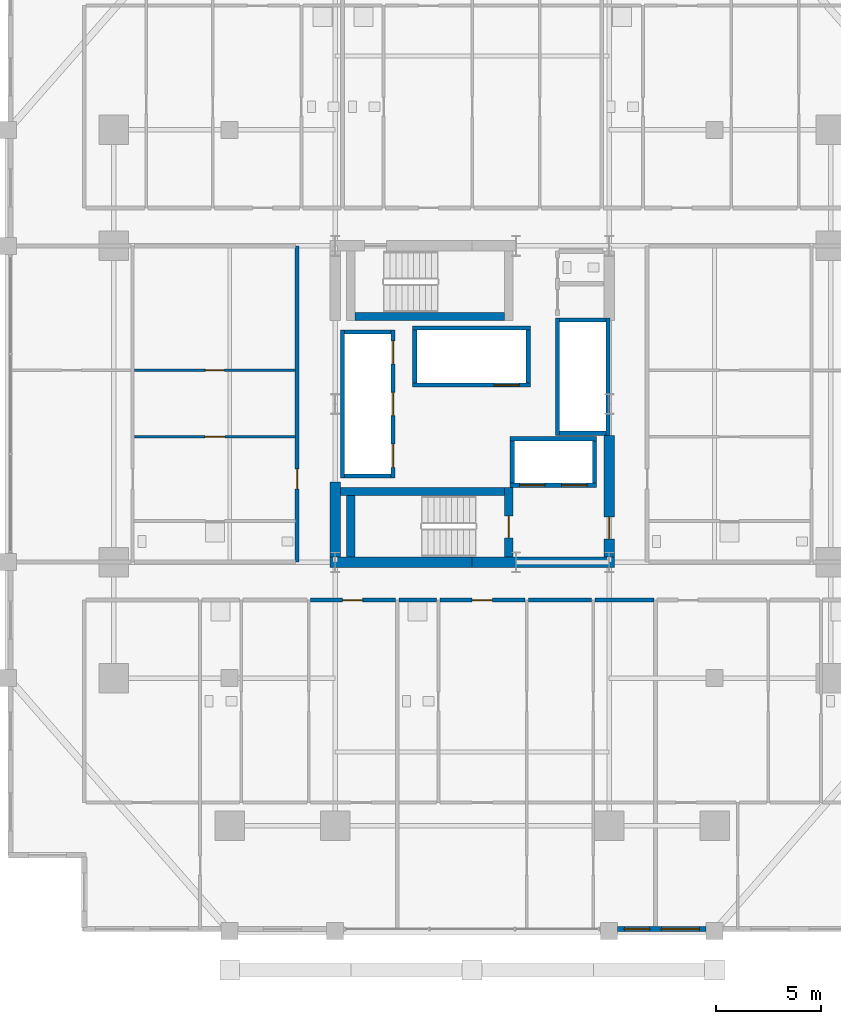
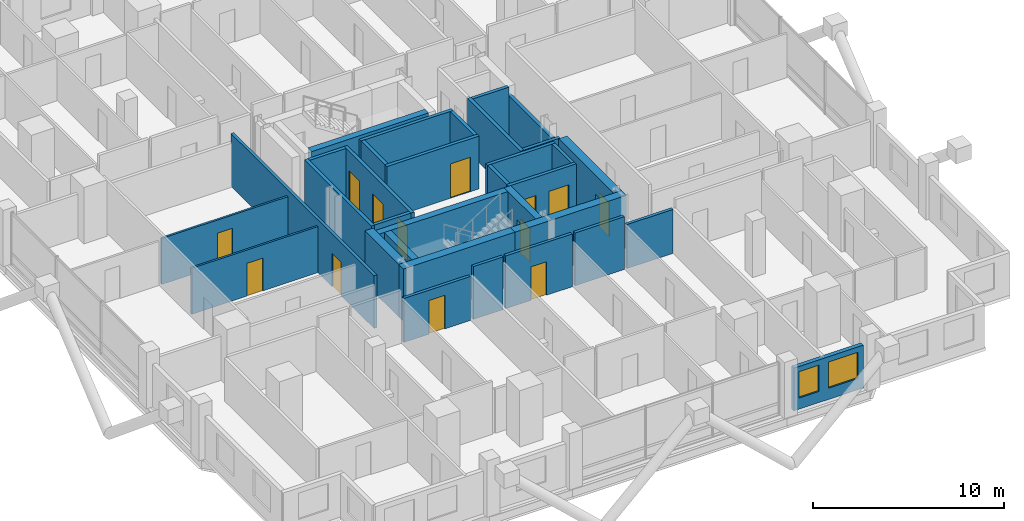
# One storey, part 18 of 24: 33 walls, 13 doors, 2 windows, 15 openings.
"""IFC4 building model written with IfcOpenShell, lengths in metres."""

from ifc_helpers import new_model, si_unit, direction, frame, frame_2d, origin, place, context, subcontext, project, spatial, rectangle, extrude, material, layer, layer_set, type_object, element, fill, save


model = new_model("IFC4")

# Units and contexts
model_context = context("Model", 3, precision=1e-05, world=origin(), true_north=direction((0.0, 1.0)))
body_context = subcontext(model_context, "Body", "Model", "MODEL_VIEW")
ifc_project = project(units=[si_unit("LENGTHUNIT", "METRE"), si_unit("AREAUNIT", "SQUARE_METRE"), si_unit("VOLUMEUNIT", "CUBIC_METRE"), si_unit("PLANEANGLEUNIT", "RADIAN"), si_unit("MASSUNIT", "GRAM", prefix="KILO")], contexts=[model_context])

# Site, building, storey
site_placement = place(None, origin())
site = spatial("IfcSite", under=ifc_project, at=site_placement, CompositionType="ELEMENT")
building_placement = place(site_placement, origin())
building = spatial("IfcBuilding", under=site, at=building_placement, Name="Barlavira Tower and Art Museum", CompositionType="ELEMENT")
storey_placement = place(building_placement, frame((0.0, 0.0, 46.800048828125)))
storey = spatial("IfcBuildingStorey", under=building, at=storey_placement, Name="L10", CompositionType="ELEMENT", Elevation=46.800048828125)

# Wall, opening, door
ifc_material_1 = material(Name="Gypsum acoustic stud partition", Category="gypsum")
ifc_layer_1 = layer(ifc_material_1, 0.1201171875, Name="Gypsum acoustic stud partition")
ifc_layer_set_1 = layer_set([ifc_layer_1], Name="Gypsum acoustic stud partition")
wall_type_1 = type_object("IfcWallType", Name="Apartment Internal Acoustic Partition 120", PredefinedType="PARTITIONING", material=ifc_layer_set_1)
wall_1_placement = place(storey_placement, frame((-16.02001953125, -1.550048828125, 0.0), z_axis=(0.0, 0.0, 1.0), x_axis=(1.0, 0.0, 0.0)))
wall_1 = element("IfcWall", 1, at=wall_1_placement, inside=storey, type_object=wall_type_1, Name="L10 Partition Wall 61", PredefinedType="PARTITIONING", context=body_context, shape_type="SweptSolid", body=[
    extrude(rectangle(XDim=7.64013671875, YDim=0.1201171875, at=frame_2d((3.820068359375, 0.0))), origin(), (0.0, 0.0, 1.0), 2.947998046875),
])
opening_1_placement = place(wall_1_placement, frame((3.344970703125, 0.0, 0.0)))
opening_1 = element("IfcOpeningElement", 2, at=opening_1_placement, cuts=wall_1, Name="Opening D-02", PredefinedType="OPENING", context=body_context, shape_type="SweptSolid", body=[
    extrude(rectangle(XDim=0.949951171875, YDim=2.10009765625, at=frame_2d((0.47509765625, 1.050048828125))), frame((0.0, 0.070068359375, 0.0), z_axis=(0.0, -1.0, 0.0), x_axis=(1.0, 0.0, 0.0)), (0.0, 0.0, 1.0), 0.14013671875),
])
ifc_material_2 = material(Name="Engineered coastal hardwood", Category="wood")
door_type_1 = type_object("IfcDoorType", Name="Living and Salon Glazed-Leaf Door 950x2100", OperationType="NOTDEFINED", PredefinedType="DOOR", material=ifc_material_2)
door_1_placement = place(opening_1_placement, origin())
door_1 = element("IfcDoor", 3, at=door_1_placement, inside=storey, type_object=door_type_1, Name="Apartment W1 Kitchen Door", OperationType="SINGLE_SWING_LEFT", OverallHeight=2.10009765625, OverallWidth=0.949951171875, PredefinedType="DOOR", context=body_context, shape_type="SweptSolid", body=[
    extrude(rectangle(XDim=0.949951171875, YDim=2.10009765625, at=frame_2d((0.47509765625, 1.050048828125))), frame((0.0, 0.02490234375, 0.0), z_axis=(0.0, -1.0, 0.0), x_axis=(1.0, 0.0, 0.0)), (0.0, 0.0, 1.0), 0.050048828125),
])
fill(opening_1, door_1)

wall_2_placement = place(storey_placement, frame((-16.02001953125, 1.60009765625, 0.0), z_axis=(0.0, 0.0, 1.0), x_axis=(1.0, 0.0, 0.0)))
wall_2 = element("IfcWall", 4, at=wall_2_placement, inside=storey, type_object=wall_type_1, Name="L10 Partition Wall 64", PredefinedType="PARTITIONING", context=body_context, shape_type="SweptSolid", body=[
    extrude(rectangle(XDim=7.64013671875, YDim=0.1201171875, at=frame_2d((3.820068359375, 0.0))), origin(), (0.0, 0.0, 1.0), 2.947998046875),
])
opening_2_placement = place(wall_2_placement, frame((3.3701171875, 0.0, 0.0)))
opening_2 = element("IfcOpeningElement", 5, at=opening_2_placement, cuts=wall_2, Name="Opening D-01", PredefinedType="OPENING", context=body_context, shape_type="SweptSolid", body=[
    extrude(rectangle(XDim=0.89990234375, YDim=2.10009765625, at=frame_2d((0.449951171875, 1.050048828125))), frame((0.0, 0.070068359375, 0.0), z_axis=(0.0, -1.0, 0.0), x_axis=(1.0, 0.0, 0.0)), (0.0, 0.0, 1.0), 0.14013671875),
])
door_type_2 = type_object("IfcDoorType", Name="Internal Bedroom Timber Flush Door 900x2100", OperationType="NOTDEFINED", PredefinedType="DOOR", material=ifc_material_2)
door_2_placement = place(opening_2_placement, origin())
door_2 = element("IfcDoor", 6, at=door_2_placement, inside=storey, type_object=door_type_2, Name="Apartment W1 Walk-In Dressing Room Door", OperationType="SINGLE_SWING_RIGHT", OverallHeight=2.10009765625, OverallWidth=0.89990234375, PredefinedType="DOOR", context=body_context, shape_type="SweptSolid", body=[
    extrude(rectangle(XDim=0.89990234375, YDim=2.10009765625, at=frame_2d((0.449951171875, 1.050048828125))), frame((0.0, 0.02490234375, 0.0), z_axis=(0.0, -1.0, 0.0), x_axis=(1.0, 0.0, 0.0)), (0.0, 0.0, 1.0), 0.050048828125),
])
fill(opening_2, door_2)

# Walls
ifc_material_3 = material(Name="Concrete C60", Category="concrete")
ifc_layer_2 = layer(ifc_material_3, 0.5, Name="Concrete C60")
ifc_layer_set_2 = layer_set([ifc_layer_2], Name="Concrete C60")
wall_type_2 = type_object("IfcWallType", Name="Core Structural Shear Wall 500 Concrete C60", PredefinedType="SHEAR", material=ifc_layer_set_2)
for number, where, z_axis, x_axis, name in (
    (7, (-6.75, -7.5, 0.0), (0.0, 0.0, 1.0), (1.0, 0.0, 0.0), "L10 Core Shear Wall CS-SW"),
    (8, (0.0, -7.5, 0.0), (0.0, 0.0, 1.0), (1.0, 0.0, 0.0), "L10 Core Shear Wall CS-SE"),
):
    element("IfcWall", number, at=place(storey_placement, frame(where, z_axis=z_axis, x_axis=x_axis)), inside=storey, type_object=wall_type_2, Name=name, PredefinedType="SHEAR", context=body_context, shape_type="SweptSolid", body=[
        extrude(rectangle(XDim=6.75, YDim=0.5, at=frame_2d((3.375, 0.0))), origin(), (0.0, 0.0, 1.0), 3.3798828125),
    ])
wall_3_placement = place(storey_placement, frame((-6.5, -7.25, 0.0), z_axis=(0.0, 0.0, 1.0), x_axis=(0.0, 1.0, 0.0)))
element("IfcWall", 9, at=wall_3_placement, inside=storey, type_object=wall_type_2, Name="L10 Core Shear Wall CS-W1", PredefinedType="SHEAR", context=body_context, shape_type="SweptSolid", body=[
    extrude(rectangle(XDim=3.550048828125, YDim=0.5, at=frame_2d((1.77490234375, 0.0))), origin(), (0.0, 0.0, 1.0), 3.3798828125),
])

# Wall, opening, door
wall_4_placement = place(storey_placement, frame((6.5, -7.25, 0.0), z_axis=(0.0, 0.0, 1.0), x_axis=(0.0, 1.0, 0.0)))
wall_4 = element("IfcWall", 10, at=wall_4_placement, inside=storey, type_object=wall_type_2, Name="L10 Core Shear Wall CS-E1", PredefinedType="SHEAR", context=body_context, shape_type="SweptSolid", body=[
    extrude(rectangle(XDim=5.75, YDim=0.5, at=frame_2d((2.875, 0.0))), origin(), (0.0, 0.0, 1.0), 3.3798828125),
])
opening_3_placement = place(wall_4_placement, frame((0.85009765625, 0.0, 0.0)))
opening_3 = element("IfcOpeningElement", 11, at=opening_3_placement, cuts=wall_4, Name="Opening FD-90", PredefinedType="OPENING", context=body_context, shape_type="SweptSolid", body=[
    extrude(rectangle(XDim=1.050048828125, YDim=2.14990234375, at=frame_2d((0.52490234375, 1.074951171875))), frame((0.0, 0.260009765625, 0.0), z_axis=(0.0, -1.0, 0.0), x_axis=(1.0, 0.0, 0.0)), (0.0, 0.0, 1.0), 0.52001953125),
])
ifc_material_4 = material(Name="Brushed stainless steel", Category="steel")
door_type_3 = type_object("IfcDoorType", Name="Stair and Refuge Fire Door 1050x2150 FD90S", OperationType="NOTDEFINED", PredefinedType="DOOR", material=ifc_material_4)
door_3_placement = place(opening_3_placement, origin())
door_3 = element("IfcDoor", 12, at=door_3_placement, inside=storey, type_object=door_type_3, Name="L10 Firefighting Lobby Entry Fire Door", OperationType="SINGLE_SWING_LEFT", OverallHeight=2.14990234375, OverallWidth=1.050048828125, PredefinedType="DOOR", context=body_context, shape_type="SweptSolid", body=[
    extrude(rectangle(XDim=1.050048828125, YDim=2.14990234375, at=frame_2d((0.52490234375, 1.074951171875))), frame((0.0, 0.02490234375, 0.0), z_axis=(0.0, -1.0, 0.0), x_axis=(1.0, 0.0, 0.0)), (0.0, 0.0, 1.0), 0.050048828125),
])
fill(opening_3, door_3)

# Wall, openings, doors
ifc_material_5 = material(Name="Autoclaved aerated concrete masonry", Category="masonry")
ifc_layer_3 = layer(ifc_material_5, 0.199951171875, Name="Autoclaved aerated concrete masonry")
ifc_layer_set_3 = layer_set([ifc_layer_3], Name="Autoclaved aerated concrete masonry")
wall_type_3 = type_object("IfcWallType", Name="Fire Compartment and Shaft Wall 200", PredefinedType="SOLIDWALL", material=ifc_layer_set_3)
wall_5_placement = place(storey_placement, frame((-3.75, -3.510009765625, 0.0), z_axis=(0.0, 0.0, 1.0), x_axis=(0.0, 1.0, 0.0)))
wall_5 = element("IfcWall", 13, at=wall_5_placement, inside=storey, type_object=wall_type_3, Name="L10 Low-Rise Lift Front Shaft Wall", PredefinedType="SOLIDWALL", context=body_context, shape_type="SweptSolid", body=[
    extrude(rectangle(XDim=7.02001953125, YDim=0.199951171875, at=frame_2d((3.510009765625, 0.0))), origin(), (0.0, 0.0, 1.0), 3.3798828125),
])
opening_4_placement = place(wall_5_placement, frame((0.510009765625, 0.0, 0.0)))
opening_4 = element("IfcOpeningElement", 14, at=opening_4_placement, cuts=wall_5, Name="Opening LD-P", PredefinedType="OPENING", context=body_context, shape_type="SweptSolid", body=[
    extrude(rectangle(XDim=1.10009765625, YDim=2.14990234375, at=frame_2d((0.550048828125, 1.074951171875))), frame((0.0, 0.10986328125, 0.0), z_axis=(0.0, -1.0, 0.0), x_axis=(1.0, 0.0, 0.0)), (0.0, 0.0, 1.0), 0.219970703125),
])
opening_5_placement = place(wall_5_placement, frame((2.9599609375, 0.0, 0.0)))
opening_5 = element("IfcOpeningElement", 15, at=opening_5_placement, cuts=wall_5, Name="Opening LD-P", PredefinedType="OPENING", context=body_context, shape_type="SweptSolid", body=[
    extrude(rectangle(XDim=1.10009765625, YDim=2.14990234375, at=frame_2d((0.550048828125, 1.074951171875))), frame((0.0, 0.10986328125, 0.0), z_axis=(0.0, -1.0, 0.0), x_axis=(1.0, 0.0, 0.0)), (0.0, 0.0, 1.0), 0.219970703125),
])
opening_6_placement = place(wall_5_placement, frame((5.409912109375, 0.0, 0.0)))
opening_6 = element("IfcOpeningElement", 16, at=opening_6_placement, cuts=wall_5, Name="Opening LD-P", PredefinedType="OPENING", context=body_context, shape_type="SweptSolid", body=[
    extrude(rectangle(XDim=1.10009765625, YDim=2.14990234375, at=frame_2d((0.550048828125, 1.074951171875))), frame((0.0, 0.10986328125, 0.0), z_axis=(0.0, -1.0, 0.0), x_axis=(1.0, 0.0, 0.0)), (0.0, 0.0, 1.0), 0.219970703125),
])
door_type_4 = type_object("IfcDoorType", Name="Passenger Lift Sliding Landing Door 1100x2150 FD60", OperationType="NOTDEFINED", PredefinedType="DOOR", material=ifc_material_4)
door_4_placement = place(opening_4_placement, origin())
door_4 = element("IfcDoor", 17, at=door_4_placement, inside=storey, type_object=door_type_4, Name="L10 Lift PL1 Sliding Landing Door", OperationType="DOUBLE_DOOR_SLIDING", OverallHeight=2.14990234375, OverallWidth=1.10009765625, PredefinedType="DOOR", context=body_context, shape_type="SweptSolid", body=[
    extrude(rectangle(XDim=1.10009765625, YDim=2.14990234375, at=frame_2d((0.550048828125, 1.074951171875))), frame((0.0, 0.02490234375, 0.0), z_axis=(0.0, -1.0, 0.0), x_axis=(1.0, 0.0, 0.0)), (0.0, 0.0, 1.0), 0.050048828125),
])
fill(opening_4, door_4)
door_5_placement = place(opening_5_placement, origin())
door_5 = element("IfcDoor", 18, at=door_5_placement, inside=storey, type_object=door_type_4, Name="L10 Lift PL2 Sliding Landing Door", OperationType="DOUBLE_DOOR_SLIDING", OverallHeight=2.14990234375, OverallWidth=1.10009765625, PredefinedType="DOOR", context=body_context, shape_type="SweptSolid", body=[
    extrude(rectangle(XDim=1.10009765625, YDim=2.14990234375, at=frame_2d((0.550048828125, 1.074951171875))), frame((0.0, 0.02490234375, 0.0), z_axis=(0.0, -1.0, 0.0), x_axis=(1.0, 0.0, 0.0)), (0.0, 0.0, 1.0), 0.050048828125),
])
fill(opening_5, door_5)
door_6_placement = place(opening_6_placement, origin())
door_6 = element("IfcDoor", 19, at=door_6_placement, inside=storey, type_object=door_type_4, Name="L10 Lift PL3 Sliding Landing Door", OperationType="DOUBLE_DOOR_SLIDING", OverallHeight=2.14990234375, OverallWidth=1.10009765625, PredefinedType="DOOR", context=body_context, shape_type="SweptSolid", body=[
    extrude(rectangle(XDim=1.10009765625, YDim=2.14990234375, at=frame_2d((0.550048828125, 1.074951171875))), frame((0.0, 0.02490234375, 0.0), z_axis=(0.0, -1.0, 0.0), x_axis=(1.0, 0.0, 0.0)), (0.0, 0.0, 1.0), 0.050048828125),
])
fill(opening_6, door_6)

# Walls
wall_6_placement = place(storey_placement, frame((-6.14990234375, -3.510009765625, 0.0), z_axis=(0.0, 0.0, 1.0), x_axis=(0.0, 1.0, 0.0)))
element("IfcWall", 20, at=wall_6_placement, inside=storey, type_object=wall_type_3, Name="L10 Low-Rise Lift Back Shaft Wall", PredefinedType="SOLIDWALL", context=body_context, shape_type="SweptSolid", body=[
    extrude(rectangle(XDim=7.02001953125, YDim=0.199951171875, at=frame_2d((3.510009765625, 0.0))), origin(), (0.0, 0.0, 1.0), 3.3798828125),
])
for number, where, z_axis, x_axis, name in (
    (21, (-6.050048828125, -3.409912109375, 0.0), (0.0, 0.0, 1.0), (1.0, 0.0, 0.0), "L10 Low-Rise Lift South Shaft Wall"),
    (22, (-6.050048828125, 3.409912109375, 0.0), (0.0, 0.0, 1.0), (1.0, 0.0, 0.0), "L10 Low-Rise Lift North Shaft Wall"),
):
    element("IfcWall", number, at=place(storey_placement, frame(where, z_axis=z_axis, x_axis=x_axis)), inside=storey, type_object=wall_type_3, Name=name, PredefinedType="SOLIDWALL", context=body_context, shape_type="SweptSolid", body=[
        extrude(rectangle(XDim=2.199951171875, YDim=0.199951171875, at=frame_2d((1.10009765625, 0.0))), origin(), (0.0, 0.0, 1.0), 3.3798828125),
    ])
wall_7_placement = place(storey_placement, frame((4.050048828125, -1.489990234375, 0.0), z_axis=(0.0, 0.0, 1.0), x_axis=(0.0, 1.0, 0.0)))
element("IfcWall", 23, at=wall_7_placement, inside=storey, type_object=wall_type_3, Name="L10 Mid-Rise Lift Front Shaft Wall", PredefinedType="SOLIDWALL", context=body_context, shape_type="SweptSolid", body=[
    extrude(rectangle(XDim=5.580078125, YDim=0.199951171875, at=frame_2d((2.7900390625, 0.0))), origin(), (0.0, 0.0, 1.0), 3.3798828125),
])
wall_8_placement = place(storey_placement, frame((6.449951171875, -1.489990234375, 0.0), z_axis=(0.0, 0.0, 1.0), x_axis=(0.0, 1.0, 0.0)))
element("IfcWall", 24, at=wall_8_placement, inside=storey, type_object=wall_type_3, Name="L10 Mid-Rise Lift Back Shaft Wall", PredefinedType="SOLIDWALL", context=body_context, shape_type="SweptSolid", body=[
    extrude(rectangle(XDim=5.580078125, YDim=0.199951171875, at=frame_2d((2.7900390625, 0.0))), origin(), (0.0, 0.0, 1.0), 2.81591796875),
])
for number, where, z_axis, x_axis, name in (
    (25, (4.14990234375, -1.389892578125, 0.0), (0.0, 0.0, 1.0), (1.0, 0.0, 0.0), "L10 Mid-Rise Lift South Shaft Wall"),
    (26, (4.14990234375, 3.989990234375, 0.0), (0.0, 0.0, 1.0), (1.0, 0.0, 0.0), "L10 Mid-Rise Lift North Shaft Wall"),
):
    element("IfcWall", number, at=place(storey_placement, frame(where, z_axis=z_axis, x_axis=x_axis)), inside=storey, type_object=wall_type_3, Name=name, PredefinedType="SOLIDWALL", context=body_context, shape_type="SweptSolid", body=[
        extrude(rectangle(XDim=2.2001953125, YDim=0.199951171875, at=frame_2d((1.10009765625, 0.0))), origin(), (0.0, 0.0, 1.0), 3.3798828125),
    ])

# Wall, opening, door
wall_9_placement = place(storey_placement, frame((-2.820068359375, 0.89990234375, 0.0), z_axis=(0.0, 0.0, 1.0), x_axis=(1.0, 0.0, 0.0)))
wall_9 = element("IfcWall", 27, at=wall_9_placement, inside=storey, type_object=wall_type_3, Name="L10 High-Rise & Service Lift Front Wall", PredefinedType="SOLIDWALL", context=body_context, shape_type="SweptSolid", body=[
    extrude(rectangle(XDim=5.580078125, YDim=0.199951171875, at=frame_2d((2.7900390625, 0.0))), origin(), (0.0, 0.0, 1.0), 3.3798828125),
])
opening_7_placement = place(wall_9_placement, frame((3.860107421875, 0.0, 0.0)))
opening_7 = element("IfcOpeningElement", 28, at=opening_7_placement, cuts=wall_9, Name="Opening LD-F", PredefinedType="OPENING", context=body_context, shape_type="SweptSolid", body=[
    extrude(rectangle(XDim=1.199951171875, YDim=2.199951171875, at=frame_2d((0.60009765625, 1.10009765625))), frame((0.0, 0.10986328125, 0.0), z_axis=(0.0, -1.0, 0.0), x_axis=(1.0, 0.0, 0.0)), (0.0, 0.0, 1.0), 0.219970703125),
])
door_type_5 = type_object("IfcDoorType", Name="Firefighting and Service Lift Sliding Door 1200x2200 FD120", OperationType="NOTDEFINED", PredefinedType="DOOR", material=ifc_material_4)
door_7_placement = place(opening_7_placement, origin())
door_7 = element("IfcDoor", 29, at=door_7_placement, inside=storey, type_object=door_type_5, Name="L10 Stretcher Service Lift SL1 Sliding Door", OperationType="DOUBLE_DOOR_SLIDING", OverallHeight=2.199951171875, OverallWidth=1.199951171875, PredefinedType="DOOR", context=body_context, shape_type="SweptSolid", body=[
    extrude(rectangle(XDim=1.199951171875, YDim=2.199951171875, at=frame_2d((0.60009765625, 1.10009765625))), frame((0.0, 0.02490234375, 0.0), z_axis=(0.0, -1.0, 0.0), x_axis=(1.0, 0.0, 0.0)), (0.0, 0.0, 1.0), 0.050048828125),
])
fill(opening_7, door_7)

# Walls
wall_10_placement = place(storey_placement, frame((-2.820068359375, 3.60009765625, 0.0), z_axis=(0.0, 0.0, 1.0), x_axis=(1.0, 0.0, 0.0)))
element("IfcWall", 30, at=wall_10_placement, inside=storey, type_object=wall_type_3, Name="L10 High-Rise & Service Lift Back Wall", PredefinedType="SOLIDWALL", context=body_context, shape_type="SweptSolid", body=[
    extrude(rectangle(XDim=5.580078125, YDim=0.199951171875, at=frame_2d((2.7900390625, 0.0))), origin(), (0.0, 0.0, 1.0), 3.3798828125),
])
for number, where, z_axis, x_axis, name in (
    (31, (-2.719970703125, 1.0, 0.0), (0.0, 0.0, 1.0), (0.0, 1.0, 0.0), "L10 High-Rise & Service Lift West Wall"),
    (32, (2.659912109375, 1.0, 0.0), (0.0, 0.0, 1.0), (0.0, 1.0, 0.0), "L10 High-Rise & Service Lift East Wall"),
):
    element("IfcWall", number, at=place(storey_placement, frame(where, z_axis=z_axis, x_axis=x_axis)), inside=storey, type_object=wall_type_3, Name=name, PredefinedType="SOLIDWALL", context=body_context, shape_type="SweptSolid", body=[
        extrude(rectangle(XDim=2.5, YDim=0.199951171875, at=frame_2d((1.25, 0.0))), origin(), (0.0, 0.0, 1.0), 3.3798828125),
    ])

# Wall, openings, doors
wall_11_placement = place(storey_placement, frame((1.800048828125, -3.85009765625, 0.0), z_axis=(0.0, 0.0, 1.0), x_axis=(1.0, 0.0, 0.0)))
wall_11 = element("IfcWall", 33, at=wall_11_placement, inside=storey, type_object=wall_type_3, Name="L10 Firefighting Lift Front Shaft Wall", PredefinedType="SOLIDWALL", context=body_context, shape_type="SweptSolid", body=[
    extrude(rectangle(XDim=4.099853515625, YDim=0.199951171875, at=frame_2d((2.0498046875, 0.0))), origin(), (0.0, 0.0, 1.0), 3.3798828125),
])
opening_8_placement = place(wall_11_placement, frame((0.449951171875, 0.0, 0.0)))
opening_8 = element("IfcOpeningElement", 34, at=opening_8_placement, cuts=wall_11, Name="Opening LD-F", PredefinedType="OPENING", context=body_context, shape_type="SweptSolid", body=[
    extrude(rectangle(XDim=1.199951171875, YDim=2.199951171875, at=frame_2d((0.60009765625, 1.10009765625))), frame((0.0, 0.10986328125, 0.0), z_axis=(0.0, -1.0, 0.0), x_axis=(1.0, 0.0, 0.0)), (0.0, 0.0, 1.0), 0.219970703125),
])
opening_9_placement = place(wall_11_placement, frame((2.449951171875, 0.0, 0.0)))
opening_9 = element("IfcOpeningElement", 35, at=opening_9_placement, cuts=wall_11, Name="Opening LD-F", PredefinedType="OPENING", context=body_context, shape_type="SweptSolid", body=[
    extrude(rectangle(XDim=1.199951171875, YDim=2.199951171875, at=frame_2d((0.60009765625, 1.10009765625))), frame((0.0, 0.10986328125, 0.0), z_axis=(0.0, -1.0, 0.0), x_axis=(1.0, 0.0, 0.0)), (0.0, 0.0, 1.0), 0.219970703125),
])
door_8_placement = place(opening_8_placement, origin())
door_8 = element("IfcDoor", 36, at=door_8_placement, inside=storey, type_object=door_type_5, Name="L10 Firefighting Lift FF1 Sliding Door", OperationType="DOUBLE_DOOR_SLIDING", OverallHeight=2.199951171875, OverallWidth=1.199951171875, PredefinedType="DOOR", context=body_context, shape_type="SweptSolid", body=[
    extrude(rectangle(XDim=1.199951171875, YDim=2.199951171875, at=frame_2d((0.60009765625, 1.10009765625))), frame((0.0, 0.02490234375, 0.0), z_axis=(0.0, -1.0, 0.0), x_axis=(1.0, 0.0, 0.0)), (0.0, 0.0, 1.0), 0.050048828125),
])
fill(opening_8, door_8)
door_9_placement = place(opening_9_placement, origin())
door_9 = element("IfcDoor", 37, at=door_9_placement, inside=storey, type_object=door_type_5, Name="L10 Firefighting Lift FF2 Sliding Door", OperationType="DOUBLE_DOOR_SLIDING", OverallHeight=2.199951171875, OverallWidth=1.199951171875, PredefinedType="DOOR", context=body_context, shape_type="SweptSolid", body=[
    extrude(rectangle(XDim=1.199951171875, YDim=2.199951171875, at=frame_2d((0.60009765625, 1.10009765625))), frame((0.0, 0.02490234375, 0.0), z_axis=(0.0, -1.0, 0.0), x_axis=(1.0, 0.0, 0.0)), (0.0, 0.0, 1.0), 0.050048828125),
])
fill(opening_9, door_9)

# Walls
wall_12_placement = place(storey_placement, frame((1.800048828125, -1.64990234375, 0.0), z_axis=(0.0, 0.0, 1.0), x_axis=(1.0, 0.0, 0.0)))
element("IfcWall", 38, at=wall_12_placement, inside=storey, type_object=wall_type_3, Name="L10 Firefighting Lift Back Shaft Wall", PredefinedType="SOLIDWALL", context=body_context, shape_type="SweptSolid", body=[
    extrude(rectangle(XDim=4.099853515625, YDim=0.199951171875, at=frame_2d((2.0498046875, 0.0))), origin(), (0.0, 0.0, 1.0), 3.3798828125),
])
for number, where, z_axis, x_axis, name in (
    (39, (1.89990234375, -3.75, 0.0), (0.0, 0.0, 1.0), (0.0, 1.0, 0.0), "L10 Firefighting Lift West Shaft Wall"),
    (40, (5.800048828125, -3.75, 0.0), (0.0, 0.0, 1.0), (0.0, 1.0, 0.0), "L10 Firefighting Lift East Shaft Wall"),
):
    element("IfcWall", number, at=place(storey_placement, frame(where, z_axis=z_axis, x_axis=x_axis)), inside=storey, type_object=wall_type_3, Name=name, PredefinedType="SOLIDWALL", context=body_context, shape_type="SweptSolid", body=[
        extrude(rectangle(XDim=2.0, YDim=0.199951171875, at=frame_2d((1.0, 0.0))), origin(), (0.0, 0.0, 1.0), 3.3798828125),
    ])

# Wall, opening, door
ifc_layer_4 = layer(ifc_material_1, 0.179931640625, Name="Gypsum acoustic stud partition")
ifc_layer_set_4 = layer_set([ifc_layer_4], Name="Gypsum acoustic stud partition")
wall_type_4 = type_object("IfcWallType", Name="Inter-Tenancy Party Partition Wall 180", PredefinedType="PARTITIONING", material=ifc_layer_set_4)
wall_13_placement = place(storey_placement, frame((-8.300048828125, -7.5, 0.0), z_axis=(0.0, 0.0, 1.0), x_axis=(0.0, 1.0, 0.0)))
wall_13 = element("IfcWall", 41, at=wall_13_placement, inside=storey, type_object=wall_type_4, Name="L10 Partition Wall 8", PredefinedType="PARTITIONING", context=body_context, shape_type="SweptSolid", body=[
    extrude(rectangle(XDim=15.0, YDim=0.179931640625, at=frame_2d((7.5, 0.0))), origin(), (0.0, 0.0, 1.0), 3.3798828125),
])
opening_10_placement = place(wall_13_placement, frame((3.47509765625, 0.0, 0.0)))
opening_10 = element("IfcOpeningElement", 42, at=opening_10_placement, cuts=wall_13, Name="Opening FD-60", PredefinedType="OPENING", context=body_context, shape_type="SweptSolid", body=[
    extrude(rectangle(XDim=0.949951171875, YDim=2.14990234375, at=frame_2d((0.47509765625, 1.074951171875))), frame((0.0, 0.10009765625, 0.0), z_axis=(0.0, -1.0, 0.0), x_axis=(1.0, 0.0, 0.0)), (0.0, 0.0, 1.0), 0.199951171875),
])
door_type_6 = type_object("IfcDoorType", Name="Apartment Entrance and Riser Fire Door 950x2150 FD60S", OperationType="NOTDEFINED", PredefinedType="DOOR", material=ifc_material_4)
door_10_placement = place(opening_10_placement, origin())
door_10 = element("IfcDoor", 43, at=door_10_placement, inside=storey, type_object=door_type_6, Name="Apartment Entrance Hall W1 Door", OperationType="SINGLE_SWING_RIGHT", OverallHeight=2.14990234375, OverallWidth=0.949951171875, PredefinedType="DOOR", context=body_context, shape_type="SweptSolid", body=[
    extrude(rectangle(XDim=0.949951171875, YDim=2.14990234375, at=frame_2d((0.47509765625, 1.074951171875))), frame((0.0, 0.02490234375, 0.0), z_axis=(0.0, -1.0, 0.0), x_axis=(1.0, 0.0, 0.0)), (0.0, 0.0, 1.0), 0.050048828125),
])
fill(opening_10, door_10)

wall_14_placement = place(storey_placement, frame((-7.669921875, -9.300048828125, 0.0), z_axis=(0.0, 0.0, 1.0), x_axis=(1.0, 0.0, 0.0)))
wall_14 = element("IfcWall", 44, at=wall_14_placement, inside=storey, type_object=wall_type_4, Name="L10 Partition Wall 47", PredefinedType="PARTITIONING", context=body_context, shape_type="SweptSolid", body=[
    extrude(rectangle(XDim=4.0400390625, YDim=0.179931640625, at=frame_2d((2.02001953125, 0.0))), origin(), (0.0, 0.0, 1.0), 2.81591796875),
])
opening_11_placement = place(wall_14_placement, frame((1.52490234375, 0.0, 0.0)))
opening_11 = element("IfcOpeningElement", 45, at=opening_11_placement, cuts=wall_14, Name="Opening FD-60", PredefinedType="OPENING", context=body_context, shape_type="SweptSolid", body=[
    extrude(rectangle(XDim=0.949951171875, YDim=2.14990234375, at=frame_2d((0.47509765625, 1.074951171875))), frame((0.0, 0.10009765625, 0.0), z_axis=(0.0, -1.0, 0.0), x_axis=(1.0, 0.0, 0.0)), (0.0, 0.0, 1.0), 0.199951171875),
])
door_11_placement = place(opening_11_placement, origin())
door_11 = element("IfcDoor", 46, at=door_11_placement, inside=storey, type_object=door_type_6, Name="Apartment Entrance Hall S1 Door", OperationType="SINGLE_SWING_RIGHT", OverallHeight=2.14990234375, OverallWidth=0.949951171875, PredefinedType="DOOR", context=body_context, shape_type="SweptSolid", body=[
    extrude(rectangle(XDim=0.949951171875, YDim=2.14990234375, at=frame_2d((0.47509765625, 1.074951171875))), frame((0.0, 0.02490234375, 0.0), z_axis=(0.0, -1.0, 0.0), x_axis=(1.0, 0.0, 0.0)), (0.0, 0.0, 1.0), 0.050048828125),
])
fill(opening_11, door_11)

# Wall
wall_15_placement = place(storey_placement, frame((-3.469970703125, -9.300048828125, 0.0), z_axis=(0.0, 0.0, 1.0), x_axis=(1.0, 0.0, 0.0)))
element("IfcWall", 47, at=wall_15_placement, inside=storey, type_object=wall_type_4, Name="L10 Partition Wall 48", PredefinedType="PARTITIONING", context=body_context, shape_type="SweptSolid", body=[
    extrude(rectangle(XDim=1.7900390625, YDim=0.179931640625, at=frame_2d((0.89501953125, 0.0))), origin(), (0.0, 0.0, 1.0), 3.3798828125),
])

# Wall, opening, door
wall_16_placement = place(storey_placement, frame((-1.52001953125, -9.300048828125, 0.0), z_axis=(0.0, 0.0, 1.0), x_axis=(1.0, 0.0, 0.0)))
wall_16 = element("IfcWall", 48, at=wall_16_placement, inside=storey, type_object=wall_type_4, Name="L10 Partition Wall 49", PredefinedType="PARTITIONING", context=body_context, shape_type="SweptSolid", body=[
    extrude(rectangle(XDim=4.0400390625, YDim=0.179931640625, at=frame_2d((2.02001953125, 0.0))), origin(), (0.0, 0.0, 1.0), 3.3798828125),
])
opening_12_placement = place(wall_16_placement, frame((1.52490234375, 0.0, 0.0)))
opening_12 = element("IfcOpeningElement", 49, at=opening_12_placement, cuts=wall_16, Name="Opening FD-60", PredefinedType="OPENING", context=body_context, shape_type="SweptSolid", body=[
    extrude(rectangle(XDim=0.949951171875, YDim=2.14990234375, at=frame_2d((0.47509765625, 1.074951171875))), frame((0.0, 0.10009765625, 0.0), z_axis=(0.0, -1.0, 0.0), x_axis=(1.0, 0.0, 0.0)), (0.0, 0.0, 1.0), 0.199951171875),
])
door_12_placement = place(opening_12_placement, origin())
door_12 = element("IfcDoor", 50, at=door_12_placement, inside=storey, type_object=door_type_6, Name="Apartment Entrance Hall S2 Door", OperationType="SINGLE_SWING_LEFT", OverallHeight=2.14990234375, OverallWidth=0.949951171875, PredefinedType="DOOR", context=body_context, shape_type="SweptSolid", body=[
    extrude(rectangle(XDim=0.949951171875, YDim=2.14990234375, at=frame_2d((0.47509765625, 1.074951171875))), frame((0.0, 0.02490234375, 0.0), z_axis=(0.0, -1.0, 0.0), x_axis=(1.0, 0.0, 0.0)), (0.0, 0.0, 1.0), 0.050048828125),
])
fill(opening_12, door_12)

# Walls
wall_17_placement = place(storey_placement, frame((2.679931640625, -9.300048828125, 0.0), z_axis=(0.0, 0.0, 1.0), x_axis=(1.0, 0.0, 0.0)))
element("IfcWall", 51, at=wall_17_placement, inside=storey, type_object=wall_type_4, Name="L10 Partition Wall 50", PredefinedType="PARTITIONING", context=body_context, shape_type="SweptSolid", body=[
    extrude(rectangle(XDim=2.989990234375, YDim=0.179931640625, at=frame_2d((1.4951171875, 0.0))), origin(), (0.0, 0.0, 1.0), 3.3798828125),
])
wall_18_placement = place(storey_placement, frame((5.830078125, -9.300048828125, 0.0), z_axis=(0.0, 0.0, 1.0), x_axis=(1.0, 0.0, 0.0)))
element("IfcWall", 52, at=wall_18_placement, inside=storey, type_object=wall_type_4, Name="L10 Partition Wall 51", PredefinedType="PARTITIONING", context=body_context, shape_type="SweptSolid", body=[
    extrude(rectangle(XDim=2.7900390625, YDim=0.179931640625, at=frame_2d((1.39501953125, 0.0))), origin(), (0.0, 0.0, 1.0), 2.81591796875),
])

# Wall, openings, windows
ifc_material_6 = material(Name="Precast concrete C40", Category="concrete")
ifc_layer_5 = layer(ifc_material_6, 0.25, Name="Precast concrete C40")
ifc_layer_set_5 = layer_set([ifc_layer_5], Name="Precast concrete C40")
wall_type_5 = type_object("IfcWallType", Name="Notched Corner Spandrel Wall 250 Precast Concrete C40", PredefinedType="SOLIDWALL", material=ifc_layer_set_5)
wall_19_placement = place(storey_placement, frame((6.89501953125, -24.89990234375, 0.0), z_axis=(0.0, 0.0, 1.0), x_axis=(1.0, 0.0, 0.0)))
wall_19 = element("IfcWall", 53, at=wall_19_placement, inside=storey, type_object=wall_type_5, Name="L10 Coastal Facade Pier Wall CW1-L10-S-4", PredefinedType="SOLIDWALL", context=body_context, shape_type="SweptSolid", body=[
    extrude(rectangle(XDim=4.2099609375, YDim=0.25, at=frame_2d((2.10498046875, 0.0))), origin(), (0.0, 0.0, 1.0), 2.73583984375),
])
opening_13_placement = place(wall_19_placement, frame((0.324951171875, 0.0, 0.719970703125)))
opening_13 = element("IfcOpeningElement", 54, at=opening_13_placement, cuts=wall_19, Name="Opening WN-05", PredefinedType="OPENING", context=body_context, shape_type="SweptSolid", body=[
    extrude(rectangle(XDim=1.199951171875, YDim=1.679931640625, at=frame_2d((0.60009765625, 0.83984375))), frame((0.0, 0.135009765625, 0.0), z_axis=(0.0, -1.0, 0.0), x_axis=(1.0, 0.0, 0.0)), (0.0, 0.0, 1.0), 0.27001953125),
])
opening_14_placement = place(wall_19_placement, frame((2.0849609375, 0.0, 0.719970703125)))
opening_14 = element("IfcOpeningElement", 55, at=opening_14_placement, cuts=wall_19, Name="Opening WN-01", PredefinedType="OPENING", context=body_context, shape_type="SweptSolid", body=[
    extrude(rectangle(XDim=1.800048828125, YDim=1.679931640625, at=frame_2d((0.89990234375, 0.83984375))), frame((0.0, 0.135009765625, 0.0), z_axis=(0.0, -1.0, 0.0), x_axis=(1.0, 0.0, 0.0)), (0.0, 0.0, 1.0), 0.27001953125),
])
ifc_material_7 = material(Name="Low-iron coastal laminated glass", Category="glass")
window_type_1 = type_object("IfcWindowType", Name="Recessed Flank Pier Punch Window 1200x1680", PartitioningType="SINGLE_PANEL", PredefinedType="WINDOW", material=ifc_material_7)
window_1_placement = place(opening_13_placement, origin())
window_1 = element("IfcWindow", 56, at=window_1_placement, inside=storey, type_object=window_type_1, Name="L10 Punched Facade Window EWP-CW1-L10-S-4-1", OverallHeight=1.679931640625, OverallWidth=1.199951171875, PartitioningType="SINGLE_PANEL", PredefinedType="WINDOW", context=body_context, shape_type="SweptSolid", body=[
    extrude(rectangle(XDim=1.199951171875, YDim=1.679931640625, at=frame_2d((0.60009765625, 0.83984375))), frame((0.0, 0.030029296875, 0.0), z_axis=(0.0, -1.0, 0.0), x_axis=(1.0, 0.0, 0.0)), (0.0, 0.0, 1.0), 0.06005859375),
])
fill(opening_13, window_1)
window_type_2 = type_object("IfcWindowType", Name="Recessed Notch Corner Punch Window 1800x1680", PartitioningType="SINGLE_PANEL", PredefinedType="WINDOW", material=ifc_material_7)
window_2_placement = place(opening_14_placement, origin())
window_2 = element("IfcWindow", 57, at=window_2_placement, inside=storey, type_object=window_type_2, Name="L10 Punched Facade Window EWP-CW1-L10-S-4-2", OverallHeight=1.679931640625, OverallWidth=1.800048828125, PartitioningType="SINGLE_PANEL", PredefinedType="WINDOW", context=body_context, shape_type="SweptSolid", body=[
    extrude(rectangle(XDim=1.800048828125, YDim=1.679931640625, at=frame_2d((0.89990234375, 0.83984375))), frame((0.0, 0.030029296875, 0.0), z_axis=(0.0, -1.0, 0.0), x_axis=(1.0, 0.0, 0.0)), (0.0, 0.0, 1.0), 0.06005859375),
])
fill(opening_14, window_2)

# Walls
ifc_material_8 = material(Name="Concrete C55", Category="concrete")
ifc_layer_6 = layer(ifc_material_8, 0.39990234375, Name="Concrete C55")
ifc_layer_set_6 = layer_set([ifc_layer_6], Name="Concrete C55")
wall_type_6 = type_object("IfcWallType", Name="Upper Core Shear Wall 400 Concrete C55", PredefinedType="SHEAR", material=ifc_layer_set_6)
wall_20_placement = place(storey_placement, frame((-5.75, -7.25, 0.0), z_axis=(0.0, 0.0, 1.0), x_axis=(0.0, 1.0, 0.0)))
element("IfcWall", 58, at=wall_20_placement, inside=storey, type_object=wall_type_6, Name="L10 ST-T1 West Half-Landing Wall", PredefinedType="SHEAR", context=body_context, shape_type="SweptSolid", body=[
    extrude(rectangle(XDim=2.89990234375, YDim=0.39990234375, at=frame_2d((1.449951171875, 0.0))), origin(), (0.0, 0.0, 1.0), 3.3798828125),
])
wall_21_placement = place(storey_placement, frame((-6.25, -4.14990234375, 0.0), z_axis=(0.0, 0.0, 1.0), x_axis=(1.0, 0.0, 0.0)))
element("IfcWall", 59, at=wall_21_placement, inside=storey, type_object=wall_type_6, Name="L10 ST-T1 North Shaft Wall", PredefinedType="SHEAR", context=body_context, shape_type="SweptSolid", body=[
    extrude(rectangle(XDim=7.780029296875, YDim=0.39990234375, at=frame_2d((3.89013671875, 0.0))), origin(), (0.0, 0.0, 1.0), 3.3798828125),
])

# Wall, opening, door
wall_22_placement = place(storey_placement, frame((1.72998046875, -7.25, 0.0), z_axis=(0.0, 0.0, 1.0), x_axis=(0.0, 1.0, 0.0)))
wall_22 = element("IfcWall", 60, at=wall_22_placement, inside=storey, type_object=wall_type_6, Name="L10 ST-T1 East Landing Wall", PredefinedType="SHEAR", context=body_context, shape_type="SweptSolid", body=[
    extrude(rectangle(XDim=3.300048828125, YDim=0.39990234375, at=frame_2d((1.64990234375, 0.0))), origin(), (0.0, 0.0, 1.0), 3.3798828125),
])
opening_15_placement = place(wall_22_placement, frame((0.89990234375, 0.0, 0.0)))
opening_15 = element("IfcOpeningElement", 61, at=opening_15_placement, cuts=wall_22, Name="Opening FD-90", PredefinedType="OPENING", context=body_context, shape_type="SweptSolid", body=[
    extrude(rectangle(XDim=1.050048828125, YDim=2.14990234375, at=frame_2d((0.52490234375, 1.074951171875))), frame((0.0, 0.2099609375, 0.0), z_axis=(0.0, -1.0, 0.0), x_axis=(1.0, 0.0, 0.0)), (0.0, 0.0, 1.0), 0.419921875),
])
door_13_placement = place(opening_15_placement, origin())
door_13 = element("IfcDoor", 62, at=door_13_placement, inside=storey, type_object=door_type_3, Name="L10 Stair ST-T1 Fire Door", OperationType="SINGLE_SWING_RIGHT", OverallHeight=2.14990234375, OverallWidth=1.050048828125, PredefinedType="DOOR", context=body_context, shape_type="SweptSolid", body=[
    extrude(rectangle(XDim=1.050048828125, YDim=2.14990234375, at=frame_2d((0.52490234375, 1.074951171875))), frame((0.0, 0.02490234375, 0.0), z_axis=(0.0, -1.0, 0.0), x_axis=(1.0, 0.0, 0.0)), (0.0, 0.0, 1.0), 0.050048828125),
])
fill(opening_15, door_13)

# Wall
wall_23_placement = place(storey_placement, frame((-5.550048828125, 4.14990234375, 0.0), z_axis=(0.0, 0.0, 1.0), x_axis=(1.0, 0.0, 0.0)))
element("IfcWall", 63, at=wall_23_placement, inside=storey, type_object=wall_type_6, Name="L10 ST-T2 South Shaft Wall", PredefinedType="SHEAR", context=body_context, shape_type="SweptSolid", body=[
    extrude(rectangle(XDim=7.080078125, YDim=0.39990234375, at=frame_2d((3.5400390625, 0.0))), origin(), (0.0, 0.0, 1.0), 3.3798828125),
])

save(model, "model.ifc")
